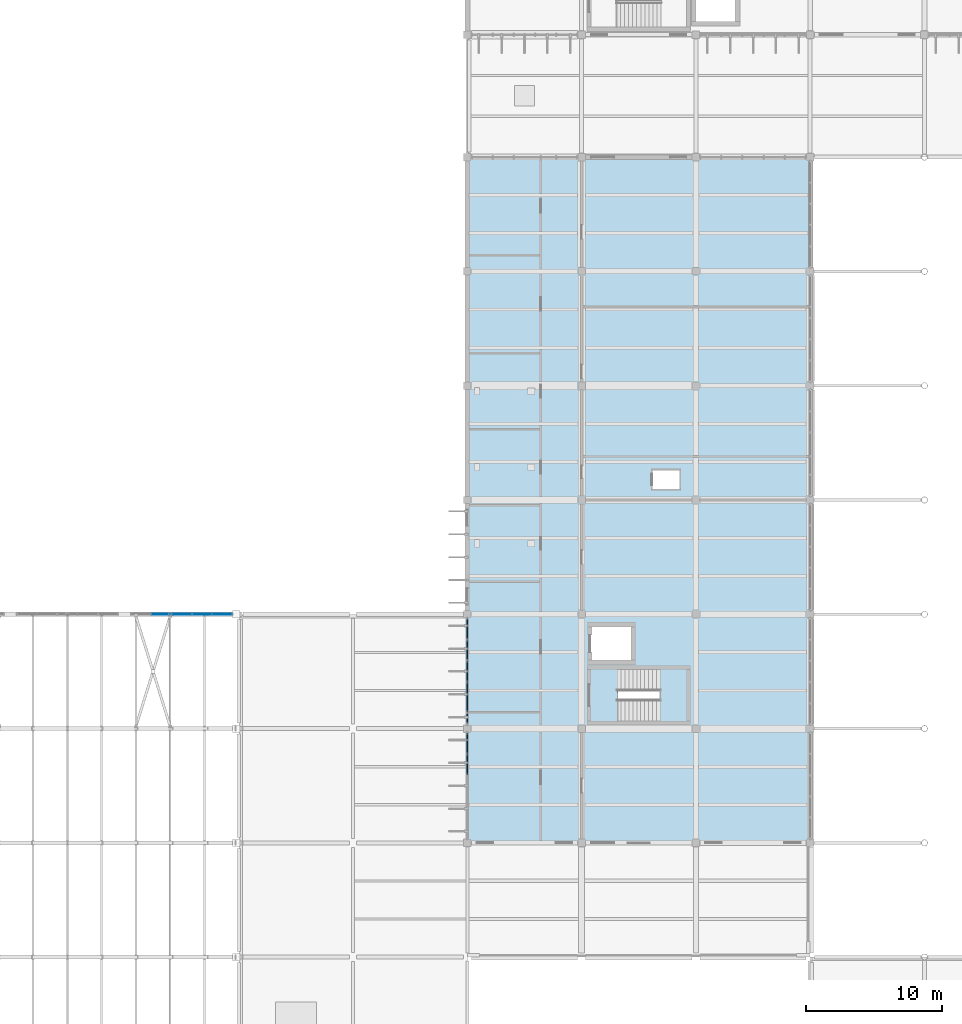
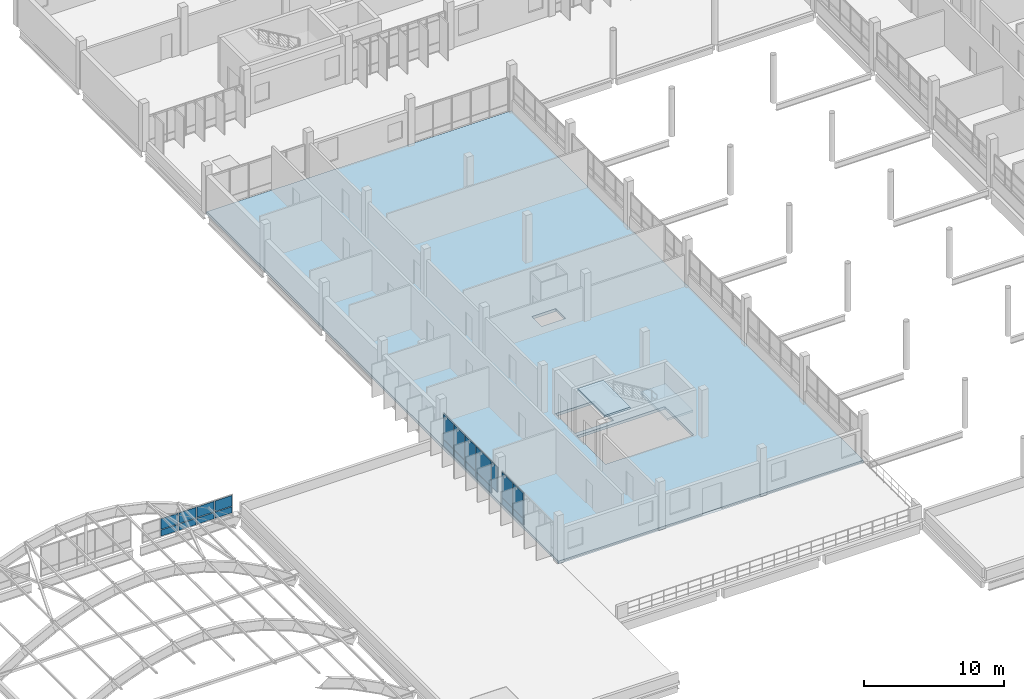
# One storey, part 95 of 130: 21 plates, 3 slabs, 3 openings, 4 elements without a shape of their own.
"""IFC4 building model written with IfcOpenShell, lengths in metres."""

from ifc_helpers import new_model, si_unit, direction, frame, origin, origin_2d, place, context, subcontext, project, spatial, polyline, rectangle, outline, extrude, material, layer, layer_set, type_object, element, aggregate, save


model = new_model("IFC4")

# Units and contexts
model_context = context("Model", 3, precision=1e-05, world=origin(), true_north=direction((0.0, 1.0)))
body_context = subcontext(model_context, "Body", "Model", "MODEL_VIEW")
ifc_project = project(units=[si_unit("LENGTHUNIT", "METRE"), si_unit("AREAUNIT", "SQUARE_METRE"), si_unit("VOLUMEUNIT", "CUBIC_METRE"), si_unit("PLANEANGLEUNIT", "RADIAN"), si_unit("MASSUNIT", "GRAM", prefix="KILO")], contexts=[model_context])

# Site, building, storey
site_placement = place(None, origin())
site = spatial("IfcSite", under=ifc_project, at=site_placement, CompositionType="ELEMENT")
building_placement = place(site_placement, origin())
building = spatial("IfcBuilding", under=site, at=building_placement, Name="Vireocrest Preparatory School", CompositionType="ELEMENT")
storey_placement = place(building_placement, frame((0.0, 0.0, 9.0)))
storey = spatial("IfcBuildingStorey", under=building, at=storey_placement, Name="L02", CompositionType="ELEMENT", Elevation=9.0)

# Curtain wall, plates
ifc_material_1 = material(Name="Thermally broken aluminium EN AW-6063-T6", Category="aluminium")
ifc_layer_1 = layer(ifc_material_1, 0.179931640625)
ifc_layer_set_1 = layer_set([ifc_layer_1], Name="Thermally broken aluminium EN AW-6063-T6")
curtain_wall_type_1 = type_object("IfcCurtainWallType", Name="Teaching Fin Curtain Wall 8400x4200", PredefinedType="USERDEFINED", material=ifc_layer_set_1)
curtain_wall_1_placement = place(storey_placement, origin())
curtain_wall_1 = element("IfcCurtainWall", 1, at=curtain_wall_1_placement, inside=storey, type_object=curtain_wall_type_1, Name="Curtain Wall CW03 CW_L02_CW03_0420_0356_090", ObjectType="CURTAIN WALL", PredefinedType="USERDEFINED")
ifc_material_2 = material(Name="Insulated triple low-e tempered safety glass", Category="glass")
ifc_layer_2 = layer(ifc_material_2, 0.074951171875)
ifc_layer_set_2 = layer_set([ifc_layer_2], Name="Insulated triple low-e tempered safety glass")
plate_type_1 = type_object("IfcPlateType", Name="Acoustic Triple-Glazed Lab Curtain Panel 75", PredefinedType="CURTAIN_PANEL", material=ifc_layer_set_2)
plate_1_placement = place(storey_placement, frame((42.0, 41.156005859375, 0.12744140625), z_axis=(0.0, 0.0, 1.0), x_axis=(0.0, 1.0, 0.0)))
plate_1 = element("IfcPlate", 2, at=plate_1_placement, type_object=plate_type_1, Name="CW Panel GL2 CW_L02_CW03_0420_0356_090-4-1", PredefinedType="CURTAIN_PANEL", context=body_context, shape_type="SweptSolid", body=[
    extrude(rectangle(XDim=1.490966796875, YDim=0.074951171875, at=origin_2d()), origin(), (0.0, 0.0, 1.0), 0.5400390625),
])
plate_2_placement = place(storey_placement, frame((42.0, 41.156005859375, 0.732421875), z_axis=(0.0, 0.0, 1.0), x_axis=(0.0, 1.0, 0.0)))
plate_2 = element("IfcPlate", 3, at=plate_2_placement, type_object=plate_type_1, Name="CW Panel GL2 CW_L02_CW03_0420_0356_090-4-2", PredefinedType="CURTAIN_PANEL", context=body_context, shape_type="SweptSolid", body=[
    extrude(rectangle(XDim=1.490966796875, YDim=0.074951171875, at=origin_2d()), origin(), (0.0, 0.0, 1.0), 2.169921875),
])
plate_3_placement = place(storey_placement, frame((42.0, 42.7119140625, 0.12744140625), z_axis=(0.0, 0.0, 1.0), x_axis=(0.0, 1.0, 0.0)))
plate_3 = element("IfcPlate", 4, at=plate_3_placement, type_object=plate_type_1, Name="CW Panel GL2 CW_L02_CW03_0420_0356_090-5-1", PredefinedType="CURTAIN_PANEL", context=body_context, shape_type="SweptSolid", body=[
    extrude(rectangle(XDim=1.490966796875, YDim=0.074951171875, at=origin_2d()), origin(), (0.0, 0.0, 1.0), 0.5400390625),
])
plate_4_placement = place(storey_placement, frame((42.0, 42.7119140625, 0.732421875), z_axis=(0.0, 0.0, 1.0), x_axis=(0.0, 1.0, 0.0)))
plate_4 = element("IfcPlate", 5, at=plate_4_placement, type_object=plate_type_1, Name="CW Panel GL2 CW_L02_CW03_0420_0356_090-5-2", PredefinedType="CURTAIN_PANEL", context=body_context, shape_type="SweptSolid", body=[
    extrude(rectangle(XDim=1.490966796875, YDim=0.074951171875, at=origin_2d()), origin(), (0.0, 0.0, 1.0), 2.169921875),
])
aggregate(curtain_wall_1, [plate_1, plate_2, plate_3, plate_4])

curtain_wall_2_placement = place(storey_placement, origin())
curtain_wall_2 = element("IfcCurtainWall", 6, at=curtain_wall_2_placement, inside=storey, type_object=curtain_wall_type_1, Name="Curtain Wall CW03 CW_L02_CW03_0420_0440_090", ObjectType="CURTAIN WALL", PredefinedType="USERDEFINED")
plate_5_placement = place(storey_placement, frame((42.0, 44.554931640625, 0.732421875), z_axis=(0.0, 0.0, 1.0), x_axis=(0.0, 1.0, 0.0)))
plate_5 = element("IfcPlate", 7, at=plate_5_placement, type_object=plate_type_1, Name="CW Panel GL2 CW_L02_CW03_0420_0440_090-1-2", PredefinedType="CURTAIN_PANEL", context=body_context, shape_type="SweptSolid", body=[
    extrude(rectangle(XDim=0.824951171875, YDim=0.074951171875, at=origin_2d()), origin(), (0.0, 0.0, 1.0), 2.169921875),
])
plate_6_placement = place(storey_placement, frame((42.0, 46.111083984375, 0.12744140625), z_axis=(0.0, 0.0, 1.0), x_axis=(0.0, 1.0, 0.0)))
plate_6 = element("IfcPlate", 8, at=plate_6_placement, type_object=plate_type_1, Name="CW Panel GL2 CW_L02_CW03_0420_0440_090-2-1", PredefinedType="CURTAIN_PANEL", context=body_context, shape_type="SweptSolid", body=[
    extrude(rectangle(XDim=2.156982421875, YDim=0.074951171875, at=origin_2d()), origin(), (0.0, 0.0, 1.0), 0.5400390625),
])
plate_7_placement = place(storey_placement, frame((42.0, 46.111083984375, 0.732421875), z_axis=(0.0, 0.0, 1.0), x_axis=(0.0, 1.0, 0.0)))
plate_7 = element("IfcPlate", 9, at=plate_7_placement, type_object=plate_type_1, Name="CW Panel GL2 CW_L02_CW03_0420_0440_090-2-2", PredefinedType="CURTAIN_PANEL", context=body_context, shape_type="SweptSolid", body=[
    extrude(rectangle(XDim=2.156982421875, YDim=0.074951171875, at=origin_2d()), origin(), (0.0, 0.0, 1.0), 2.169921875),
])
plate_8_placement = place(storey_placement, frame((42.0, 48.0, 0.12744140625), z_axis=(0.0, 0.0, 1.0), x_axis=(0.0, 1.0, 0.0)))
plate_8 = element("IfcPlate", 10, at=plate_8_placement, type_object=plate_type_1, Name="CW Panel GL2 CW_L02_CW03_0420_0440_090-3-1", PredefinedType="CURTAIN_PANEL", context=body_context, shape_type="SweptSolid", body=[
    extrude(rectangle(XDim=1.490966796875, YDim=0.074951171875, at=origin_2d()), origin(), (0.0, 0.0, 1.0), 0.5400390625),
])
plate_9_placement = place(storey_placement, frame((42.0, 48.0, 0.732421875), z_axis=(0.0, 0.0, 1.0), x_axis=(0.0, 1.0, 0.0)))
plate_9 = element("IfcPlate", 11, at=plate_9_placement, type_object=plate_type_1, Name="CW Panel GL2 CW_L02_CW03_0420_0440_090-3-2", PredefinedType="CURTAIN_PANEL", context=body_context, shape_type="SweptSolid", body=[
    extrude(rectangle(XDim=1.490966796875, YDim=0.074951171875, at=origin_2d()), origin(), (0.0, 0.0, 1.0), 2.169921875),
])
plate_10_placement = place(storey_placement, frame((42.0, 49.555908203125, 0.12744140625), z_axis=(0.0, 0.0, 1.0), x_axis=(0.0, 1.0, 0.0)))
plate_10 = element("IfcPlate", 12, at=plate_10_placement, type_object=plate_type_1, Name="CW Panel GL2 CW_L02_CW03_0420_0440_090-4-1", PredefinedType="CURTAIN_PANEL", context=body_context, shape_type="SweptSolid", body=[
    extrude(rectangle(XDim=1.490966796875, YDim=0.074951171875, at=origin_2d()), origin(), (0.0, 0.0, 1.0), 0.5400390625),
])
plate_11_placement = place(storey_placement, frame((42.0, 49.555908203125, 0.732421875), z_axis=(0.0, 0.0, 1.0), x_axis=(0.0, 1.0, 0.0)))
plate_11 = element("IfcPlate", 13, at=plate_11_placement, type_object=plate_type_1, Name="CW Panel GL2 CW_L02_CW03_0420_0440_090-4-2", PredefinedType="CURTAIN_PANEL", context=body_context, shape_type="SweptSolid", body=[
    extrude(rectangle(XDim=1.490966796875, YDim=0.074951171875, at=origin_2d()), origin(), (0.0, 0.0, 1.0), 2.169921875),
])
plate_12_placement = place(storey_placement, frame((42.0, 51.112060546875, 0.12744140625), z_axis=(0.0, 0.0, 1.0), x_axis=(0.0, 1.0, 0.0)))
plate_12 = element("IfcPlate", 14, at=plate_12_placement, type_object=plate_type_1, Name="CW Panel GL2 CW_L02_CW03_0420_0440_090-5-1", PredefinedType="CURTAIN_PANEL", context=body_context, shape_type="SweptSolid", body=[
    extrude(rectangle(XDim=1.490966796875, YDim=0.074951171875, at=origin_2d()), origin(), (0.0, 0.0, 1.0), 0.5400390625),
])
plate_13_placement = place(storey_placement, frame((42.0, 51.112060546875, 0.732421875), z_axis=(0.0, 0.0, 1.0), x_axis=(0.0, 1.0, 0.0)))
plate_13 = element("IfcPlate", 15, at=plate_13_placement, type_object=plate_type_1, Name="CW Panel GL2 CW_L02_CW03_0420_0440_090-5-2", PredefinedType="CURTAIN_PANEL", context=body_context, shape_type="SweptSolid", body=[
    extrude(rectangle(XDim=1.490966796875, YDim=0.074951171875, at=origin_2d()), origin(), (0.0, 0.0, 1.0), 2.169921875),
])
aggregate(curtain_wall_2, [plate_5, plate_6, plate_7, plate_8, plate_9, plate_10, plate_11, plate_12, plate_13])

# Slab, openings
ifc_material_3 = material(Name="Concrete 40 MPa", Category="concrete")
ifc_layer_3 = layer(ifc_material_3, 0.239990234375)
ifc_layer_set_3 = layer_set([ifc_layer_3], Name="Concrete 40 MPa")
slab_type_1 = type_object("IfcSlabType", Name="Classroom Suspended RC Floor Slab 240", PredefinedType="FLOOR", material=ifc_layer_set_3)
slab_1_placement = place(storey_placement, frame((0.0, 0.0, -0.239990234375)))
slab_1 = element("IfcSlab", 16, at=slab_1_placement, inside=storey, type_object=slab_type_1, Name="Slab L02_WEST_BAR", PredefinedType="FLOOR", context=body_context, shape_type="SweptSolid", body=[
    extrude(outline(polyline([(42.0, 35.39990234375), (67.199951171875, 35.39990234375), (67.199951171875, 85.800048828125), (42.0, 85.800048828125), (42.0, 35.39990234375)])), origin(), (0.0, 0.0, 1.0), 0.239990234375),
])
opening_1_placement = place(slab_1_placement, frame((0.0, 0.0, -0.010009765625)))
element("IfcOpeningElement", 17, at=opening_1_placement, cuts=slab_1, Name="Slab Opening SLAB_L02_WEST_BAR-1", PredefinedType="OPENING", context=body_context, shape_type="SweptSolid", body=[
    extrude(outline(polyline([(50.949951171875, 44.199951171875), (58.25, 44.199951171875), (58.25, 48.300048828125), (50.949951171875, 48.300048828125), (50.949951171875, 44.199951171875)])), origin(), (0.0, 0.0, 1.0), 0.260009765625),
])
opening_2_placement = place(slab_1_placement, frame((0.0, 0.0, -0.010009765625)))
element("IfcOpeningElement", 18, at=opening_2_placement, cuts=slab_1, Name="Slab Opening SLAB_L02_WEST_BAR-2", PredefinedType="OPENING", context=body_context, shape_type="SweptSolid", body=[
    extrude(outline(polyline([(51.0, 48.64990234375), (54.199951171875, 48.64990234375), (54.199951171875, 51.449951171875), (51.0, 51.449951171875), (51.0, 48.64990234375)])), origin(), (0.0, 0.0, 1.0), 0.260009765625),
])
opening_3_placement = place(slab_1_placement, frame((0.0, 0.0, -0.010009765625)))
element("IfcOpeningElement", 19, at=opening_3_placement, cuts=slab_1, Name="Slab Opening SLAB_L02_WEST_BAR-3", PredefinedType="OPENING", context=body_context, shape_type="SweptSolid", body=[
    extrude(outline(polyline([(55.60009765625, 61.39990234375), (57.60009765625, 61.39990234375), (57.60009765625, 62.800048828125), (55.60009765625, 62.800048828125), (55.60009765625, 61.39990234375)])), origin(), (0.0, 0.0, 1.0), 0.260009765625),
])

# Stair, slabs
stair_type = type_object("IfcStairType", Name="Two-Run Exit Stair 4200 Rise 1600 Wide", PredefinedType="HALF_TURN_STAIR", material=ifc_material_3)
stair_placement = place(storey_placement, origin())
stair = element("IfcStair", 20, at=stair_placement, inside=storey, type_object=stair_type, Name="Two-Run Stair ST1-L02", PredefinedType="HALF_TURN_STAIR")
ifc_layer_4 = layer(ifc_material_3, 0.179931640625)
ifc_layer_set_4 = layer_set([ifc_layer_4], Name="Concrete 40 MPa")
slab_type_2 = type_object("IfcSlabType", Name="Precast Concrete Stair Landing Slab 180", PredefinedType="LANDING", material=ifc_layer_set_4)
slab_2_placement = place(storey_placement, frame((0.0, 0.0, 1.919921875)))
slab_2 = element("IfcSlab", 21, at=slab_2_placement, type_object=slab_type_2, Name="Stair Half-Landing ST1-L02", PredefinedType="LANDING", context=body_context, shape_type="SweptSolid", body=[
    extrude(outline(polyline([(56.135009765625, 44.31005859375), (58.2451171875, 44.31005859375), (58.2451171875, 48.18994140625), (56.135009765625, 48.18994140625), (56.135009765625, 44.31005859375)])), origin(), (0.0, 0.0, 1.0), 0.18017578125),
])
slab_3_placement = place(storey_placement, frame((0.0, 0.0, 4.02001953125)))
slab_3 = element("IfcSlab", 22, at=slab_3_placement, type_object=slab_type_2, Name="Stair Arrival Landing ST1-L02", PredefinedType="LANDING", context=body_context, shape_type="SweptSolid", body=[
    extrude(outline(polyline([(50.955078125, 44.31005859375), (53.06494140625, 44.31005859375), (53.06494140625, 48.18994140625), (50.955078125, 48.18994140625), (50.955078125, 44.31005859375)])), origin(), (0.0, 0.0, 1.0), 0.179931640625),
])
aggregate(stair, [slab_2, slab_3])

# Curtain wall, plates
ifc_layer_5 = layer(ifc_material_1, 0.179931640625)
ifc_layer_set_5 = layer_set([ifc_layer_5], Name="Thermally broken aluminium EN AW-6063-T6")
curtain_wall_type_2 = type_object("IfcCurtainWallType", Name="Vault Gable Clerestory 8400x2600", PredefinedType="USERDEFINED", material=ifc_layer_set_5)
curtain_wall_3_placement = place(storey_placement, origin())
curtain_wall_3 = element("IfcCurtainWall", 23, at=curtain_wall_3_placement, inside=storey, type_object=curtain_wall_type_2, Name="Curtain Wall CW13 CW_L02_CW13_0172_0522_090", ObjectType="CURTAIN WALL", PredefinedType="USERDEFINED")
ifc_layer_6 = layer(ifc_material_2, 0.06005859375)
ifc_layer_set_6 = layer_set([ifc_layer_6], Name="Insulated triple low-e tempered safety glass")
plate_type_2 = type_object("IfcPlateType", Name="Triple-Glazed Vision Curtain Panel 60", PredefinedType="CURTAIN_PANEL", material=ifc_layer_set_6)
plate_14_placement = place(storey_placement, frame((19.511962890625, 52.199951171875, 0.12744140625), z_axis=(0.0, 0.0, 1.0), x_axis=(1.0, 0.0, 0.0)))
plate_14 = element("IfcPlate", 24, at=plate_14_placement, type_object=plate_type_2, Name="CW Panel GL1 CW_L02_CW13_0172_0522_090-2-1", PredefinedType="CURTAIN_PANEL", context=body_context, shape_type="SweptSolid", body=[
    extrude(rectangle(XDim=1.423095703125, YDim=0.06005859375, at=origin_2d()), origin(), (0.0, 0.0, 1.0), 0.5400390625),
])
plate_15_placement = place(storey_placement, frame((19.511962890625, 52.199951171875, 0.732421875), z_axis=(0.0, 0.0, 1.0), x_axis=(1.0, 0.0, 0.0)))
plate_15 = element("IfcPlate", 25, at=plate_15_placement, type_object=plate_type_2, Name="CW Panel GL1 CW_L02_CW13_0172_0522_090-2-2", PredefinedType="CURTAIN_PANEL", context=body_context, shape_type="SweptSolid", body=[
    extrude(rectangle(XDim=1.423095703125, YDim=0.06005859375, at=origin_2d()), origin(), (0.0, 0.0, 1.0), 0.909912109375),
])
plate_16_placement = place(storey_placement, frame((21.0, 52.199951171875, 0.12744140625), z_axis=(0.0, 0.0, 1.0), x_axis=(1.0, 0.0, 0.0)))
plate_16 = element("IfcPlate", 26, at=plate_16_placement, type_object=plate_type_2, Name="CW Panel GL1 CW_L02_CW13_0172_0522_090-3-1", PredefinedType="CURTAIN_PANEL", context=body_context, shape_type="SweptSolid", body=[
    extrude(rectangle(XDim=1.423095703125, YDim=0.06005859375, at=origin_2d()), origin(), (0.0, 0.0, 1.0), 0.5400390625),
])
plate_17_placement = place(storey_placement, frame((21.0, 52.199951171875, 0.732421875), z_axis=(0.0, 0.0, 1.0), x_axis=(1.0, 0.0, 0.0)))
plate_17 = element("IfcPlate", 27, at=plate_17_placement, type_object=plate_type_2, Name="CW Panel GL1 CW_L02_CW13_0172_0522_090-3-2", PredefinedType="CURTAIN_PANEL", context=body_context, shape_type="SweptSolid", body=[
    extrude(rectangle(XDim=1.423095703125, YDim=0.06005859375, at=origin_2d()), origin(), (0.0, 0.0, 1.0), 0.909912109375),
])
plate_18_placement = place(storey_placement, frame((22.488037109375, 52.199951171875, 0.12744140625), z_axis=(0.0, 0.0, 1.0), x_axis=(1.0, 0.0, 0.0)))
plate_18 = element("IfcPlate", 28, at=plate_18_placement, type_object=plate_type_2, Name="CW Panel GL1 CW_L02_CW13_0172_0522_090-4-1", PredefinedType="CURTAIN_PANEL", context=body_context, shape_type="SweptSolid", body=[
    extrude(rectangle(XDim=1.423095703125, YDim=0.06005859375, at=origin_2d()), origin(), (0.0, 0.0, 1.0), 0.5400390625),
])
plate_19_placement = place(storey_placement, frame((22.488037109375, 52.199951171875, 0.732421875), z_axis=(0.0, 0.0, 1.0), x_axis=(1.0, 0.0, 0.0)))
plate_19 = element("IfcPlate", 29, at=plate_19_placement, type_object=plate_type_2, Name="CW Panel GL1 CW_L02_CW13_0172_0522_090-4-2", PredefinedType="CURTAIN_PANEL", context=body_context, shape_type="SweptSolid", body=[
    extrude(rectangle(XDim=1.423095703125, YDim=0.06005859375, at=origin_2d()), origin(), (0.0, 0.0, 1.0), 0.909912109375),
])
plate_20_placement = place(storey_placement, frame((23.97607421875, 52.199951171875, 0.12744140625), z_axis=(0.0, 0.0, 1.0), x_axis=(1.0, 0.0, 0.0)))
plate_20 = element("IfcPlate", 30, at=plate_20_placement, type_object=plate_type_2, Name="CW Panel GL1 CW_L02_CW13_0172_0522_090-5-1", PredefinedType="CURTAIN_PANEL", context=body_context, shape_type="SweptSolid", body=[
    extrude(rectangle(XDim=1.423095703125, YDim=0.06005859375, at=origin_2d()), origin(), (0.0, 0.0, 1.0), 0.5400390625),
])
plate_21_placement = place(storey_placement, frame((23.97607421875, 52.199951171875, 0.732421875), z_axis=(0.0, 0.0, 1.0), x_axis=(1.0, 0.0, 0.0)))
plate_21 = element("IfcPlate", 31, at=plate_21_placement, type_object=plate_type_2, Name="CW Panel GL1 CW_L02_CW13_0172_0522_090-5-2", PredefinedType="CURTAIN_PANEL", context=body_context, shape_type="SweptSolid", body=[
    extrude(rectangle(XDim=1.423095703125, YDim=0.06005859375, at=origin_2d()), origin(), (0.0, 0.0, 1.0), 0.909912109375),
])
aggregate(curtain_wall_3, [plate_14, plate_15, plate_16, plate_17, plate_18, plate_19, plate_20, plate_21])

save(model, "model.ifc")
